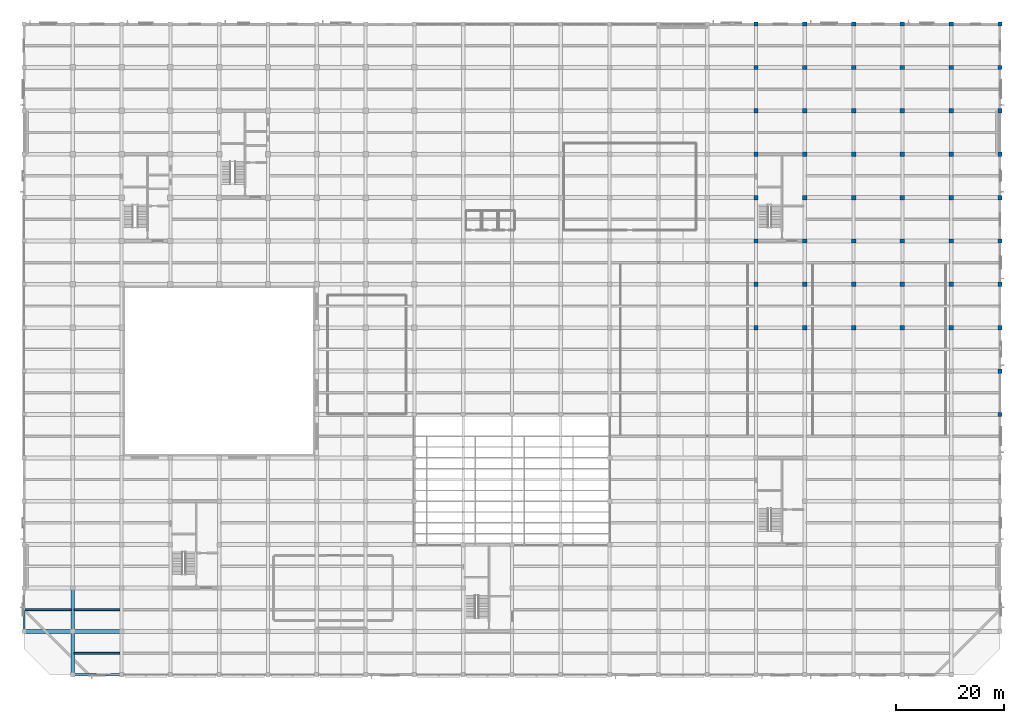
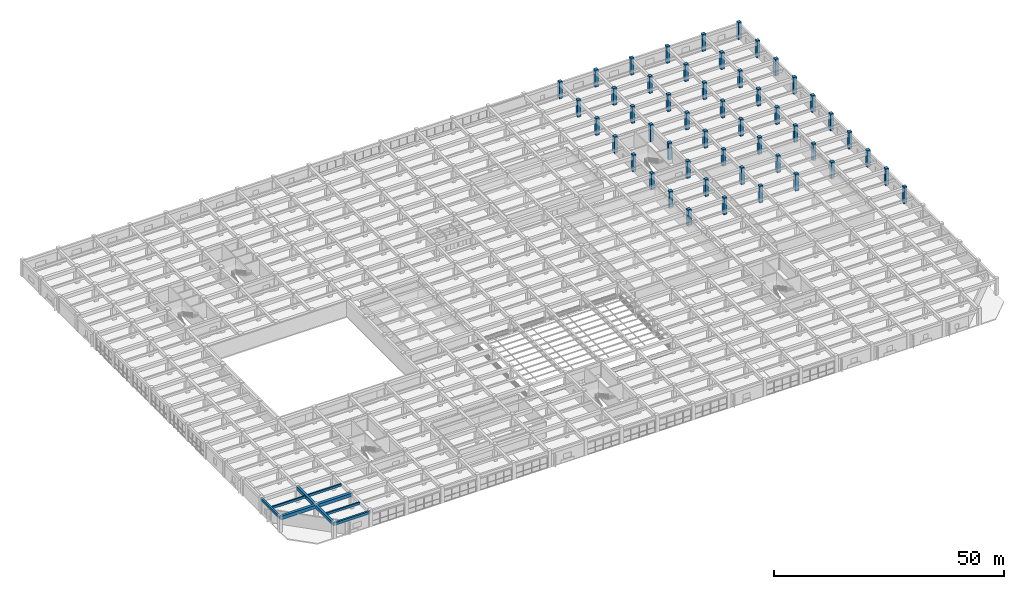
# One storey, part 2 of 50: 50 columns, 9 beams.
"""IFC4 building model written with IfcOpenShell, lengths in metres."""

from ifc_helpers import new_model, si_unit, direction, frame, origin, origin_2d, place, context, subcontext, project, spatial, rectangle, extrude, material, material_profile, profile_set, type_object, element, save


model = new_model("IFC4")

# Units and contexts
model_context = context("Model", 3, precision=1e-05, world=origin(), true_north=direction((0.0, 1.0)))
body_context = subcontext(model_context, "Body", "Model", "MODEL_VIEW")
ifc_project = project(units=[si_unit("LENGTHUNIT", "METRE"), si_unit("AREAUNIT", "SQUARE_METRE"), si_unit("VOLUMEUNIT", "CUBIC_METRE"), si_unit("PLANEANGLEUNIT", "RADIAN"), si_unit("MASSUNIT", "GRAM", prefix="KILO")], contexts=[model_context])

# Site, building, storey
site_placement = place(None, origin())
site = spatial("IfcSite", under=ifc_project, at=site_placement, CompositionType="ELEMENT")
building_placement = place(site_placement, origin())
building = spatial("IfcBuilding", under=site, at=building_placement, Name="Zaverband Oceanarium and Marine Research Institute", CompositionType="ELEMENT")
storey_placement = place(building_placement, frame((0.0, 0.0, 9.0)))
storey = spatial("IfcBuildingStorey", under=building, at=storey_placement, Name="L02", CompositionType="ELEMENT", Elevation=9.0)

# Columns
ifc_material_1 = material(Name="Concrete C50/60", Category="concrete")
ifc_material_profile_1 = material_profile(ifc_material_1, rectangle(XDim=0.800048828125, YDim=0.800048828125, at=origin_2d()), Name="RC800x800")
ifc_profile_set_1 = profile_set([ifc_material_profile_1], Name="Concrete C50/60")
column_type = type_object("IfcColumnType", Name="COL-C800", PredefinedType="COLUMN", material=ifc_profile_set_1)
for number, where, z_axis, x_axis, name in (
    (1, (135.0, 64.0, 0.0), (0.0, 0.0, 1.0), (1.0, 0.0, 0.0), "Reinforced concrete column RC800x800 COL-C800"),
    (2, (135.0, 72.0, 0.0), (0.0, 0.0, 1.0), (1.0, 0.0, 0.0), "Reinforced concrete column RC800x800 COL-C800"),
    (3, (135.0, 80.0, 0.0), (0.0, 0.0, 1.0), (1.0, 0.0, 0.0), "Reinforced concrete column RC800x800 COL-C800"),
    (4, (135.0, 88.0, 0.0), (0.0, 0.0, 1.0), (1.0, 0.0, 0.0), "Reinforced concrete column RC800x800 COL-C800"),
    (5, (135.0, 96.0, 0.0), (0.0, 0.0, 1.0), (1.0, 0.0, 0.0), "Reinforced concrete column RC800x800 COL-C800"),
    (6, (135.0, 104.0, 0.0), (0.0, 0.0, 1.0), (1.0, 0.0, 0.0), "Reinforced concrete column RC800x800 COL-C800"),
    (7, (135.0, 112.0, 0.0), (0.0, 0.0, 1.0), (1.0, 0.0, 0.0), "Reinforced concrete column RC800x800 COL-C800"),
    (8, (135.0, 120.0, 0.0), (0.0, 0.0, 1.0), (1.0, 0.0, 0.0), "Reinforced concrete column RC800x800 COL-C800"),
    (9, (144.0, 64.0, 0.0), (0.0, 0.0, 1.0), (1.0, 0.0, 0.0), "Reinforced concrete column RC800x800 COL-C800"),
    (10, (144.0, 72.0, 0.0), (0.0, 0.0, 1.0), (1.0, 0.0, 0.0), "Reinforced concrete column RC800x800 COL-C800"),
    (11, (144.0, 80.0, 0.0), (0.0, 0.0, 1.0), (1.0, 0.0, 0.0), "Reinforced concrete column RC800x800 COL-C800"),
    (12, (144.0, 88.0, 0.0), (0.0, 0.0, 1.0), (1.0, 0.0, 0.0), "Reinforced concrete column RC800x800 COL-C800"),
    (13, (144.0, 96.0, 0.0), (0.0, 0.0, 1.0), (1.0, 0.0, 0.0), "Reinforced concrete column RC800x800 COL-C800"),
    (14, (144.0, 104.0, 0.0), (0.0, 0.0, 1.0), (1.0, 0.0, 0.0), "Reinforced concrete column RC800x800 COL-C800"),
    (15, (144.0, 112.0, 0.0), (0.0, 0.0, 1.0), (1.0, 0.0, 0.0), "Reinforced concrete column RC800x800 COL-C800"),
    (16, (144.0, 120.0, 0.0), (0.0, 0.0, 1.0), (1.0, 0.0, 0.0), "Reinforced concrete column RC800x800 COL-C800"),
    (17, (153.0, 64.0, 0.0), (0.0, 0.0, 1.0), (1.0, 0.0, 0.0), "Reinforced concrete column RC800x800 COL-C800"),
    (18, (153.0, 72.0, 0.0), (0.0, 0.0, 1.0), (1.0, 0.0, 0.0), "Reinforced concrete column RC800x800 COL-C800"),
    (19, (153.0, 80.0, 0.0), (0.0, 0.0, 1.0), (1.0, 0.0, 0.0), "Reinforced concrete column RC800x800 COL-C800"),
    (20, (153.0, 88.0, 0.0), (0.0, 0.0, 1.0), (1.0, 0.0, 0.0), "Reinforced concrete column RC800x800 COL-C800"),
    (21, (153.0, 96.0, 0.0), (0.0, 0.0, 1.0), (1.0, 0.0, 0.0), "Reinforced concrete column RC800x800 COL-C800"),
    (22, (153.0, 104.0, 0.0), (0.0, 0.0, 1.0), (1.0, 0.0, 0.0), "Reinforced concrete column RC800x800 COL-C800"),
    (23, (153.0, 112.0, 0.0), (0.0, 0.0, 1.0), (1.0, 0.0, 0.0), "Reinforced concrete column RC800x800 COL-C800"),
    (24, (153.0, 120.0, 0.0), (0.0, 0.0, 1.0), (1.0, 0.0, 0.0), "Reinforced concrete column RC800x800 COL-C800"),
    (25, (162.0, 64.0, 0.0), (0.0, 0.0, 1.0), (1.0, 0.0, 0.0), "Reinforced concrete column RC800x800 COL-C800"),
    (26, (162.0, 72.0, 0.0), (0.0, 0.0, 1.0), (1.0, 0.0, 0.0), "Reinforced concrete column RC800x800 COL-C800"),
    (27, (162.0, 80.0, 0.0), (0.0, 0.0, 1.0), (1.0, 0.0, 0.0), "Reinforced concrete column RC800x800 COL-C800"),
    (28, (162.0, 88.0, 0.0), (0.0, 0.0, 1.0), (1.0, 0.0, 0.0), "Reinforced concrete column RC800x800 COL-C800"),
    (29, (162.0, 96.0, 0.0), (0.0, 0.0, 1.0), (1.0, 0.0, 0.0), "Reinforced concrete column RC800x800 COL-C800"),
    (30, (162.0, 104.0, 0.0), (0.0, 0.0, 1.0), (1.0, 0.0, 0.0), "Reinforced concrete column RC800x800 COL-C800"),
    (31, (162.0, 112.0, 0.0), (0.0, 0.0, 1.0), (1.0, 0.0, 0.0), "Reinforced concrete column RC800x800 COL-C800"),
    (32, (162.0, 120.0, 0.0), (0.0, 0.0, 1.0), (1.0, 0.0, 0.0), "Reinforced concrete column RC800x800 COL-C800"),
    (33, (171.0, 64.0, 0.0), (0.0, 0.0, 1.0), (1.0, 0.0, 0.0), "Reinforced concrete column RC800x800 COL-C800"),
    (34, (171.0, 72.0, 0.0), (0.0, 0.0, 1.0), (1.0, 0.0, 0.0), "Reinforced concrete column RC800x800 COL-C800"),
    (35, (171.0, 80.0, 0.0), (0.0, 0.0, 1.0), (1.0, 0.0, 0.0), "Reinforced concrete column RC800x800 COL-C800"),
    (36, (171.0, 88.0, 0.0), (0.0, 0.0, 1.0), (1.0, 0.0, 0.0), "Reinforced concrete column RC800x800 COL-C800"),
    (37, (171.0, 96.0, 0.0), (0.0, 0.0, 1.0), (1.0, 0.0, 0.0), "Reinforced concrete column RC800x800 COL-C800"),
    (38, (171.0, 104.0, 0.0), (0.0, 0.0, 1.0), (1.0, 0.0, 0.0), "Reinforced concrete column RC800x800 COL-C800"),
    (39, (171.0, 112.0, 0.0), (0.0, 0.0, 1.0), (1.0, 0.0, 0.0), "Reinforced concrete column RC800x800 COL-C800"),
    (40, (171.0, 120.0, 0.0), (0.0, 0.0, 1.0), (1.0, 0.0, 0.0), "Reinforced concrete column RC800x800 COL-C800"),
    (41, (180.0, 48.0, 0.0), (0.0, 0.0, 1.0), (1.0, 0.0, 0.0), "Reinforced concrete column RC800x800 COL-C800"),
    (42, (180.0, 56.0, 0.0), (0.0, 0.0, 1.0), (1.0, 0.0, 0.0), "Reinforced concrete column RC800x800 COL-C800"),
    (43, (180.0, 64.0, 0.0), (0.0, 0.0, 1.0), (1.0, 0.0, 0.0), "Reinforced concrete column RC800x800 COL-C800"),
    (44, (180.0, 72.0, 0.0), (0.0, 0.0, 1.0), (1.0, 0.0, 0.0), "Reinforced concrete column RC800x800 COL-C800"),
    (45, (180.0, 80.0, 0.0), (0.0, 0.0, 1.0), (1.0, 0.0, 0.0), "Reinforced concrete column RC800x800 COL-C800"),
    (46, (180.0, 88.0, 0.0), (0.0, 0.0, 1.0), (1.0, 0.0, 0.0), "Reinforced concrete column RC800x800 COL-C800"),
    (47, (180.0, 96.0, 0.0), (0.0, 0.0, 1.0), (1.0, 0.0, 0.0), "Reinforced concrete column RC800x800 COL-C800"),
    (48, (180.0, 104.0, 0.0), (0.0, 0.0, 1.0), (1.0, 0.0, 0.0), "Reinforced concrete column RC800x800 COL-C800"),
    (49, (180.0, 112.0, 0.0), (0.0, 0.0, 1.0), (1.0, 0.0, 0.0), "Reinforced concrete column RC800x800 COL-C800"),
    (50, (180.0, 120.0, 0.0), (0.0, 0.0, 1.0), (1.0, 0.0, 0.0), "Reinforced concrete column RC800x800 COL-C800"),
):
    element("IfcColumn", number, at=place(storey_placement, frame(where, z_axis=z_axis, x_axis=x_axis)), inside=storey, type_object=column_type, Name=name, PredefinedType="COLUMN", context=body_context, shape_type="SweptSolid", body=[
        extrude(rectangle(XDim=0.800048828125, YDim=0.800048828125, at=origin_2d()), origin(), (0.0, 0.0, 1.0), 4.5),
    ])

# Beams
ifc_material_2 = material(Name="Concrete C40/50", Category="concrete")
ifc_material_profile_2 = material_profile(ifc_material_2, rectangle(XDim=0.60009765625, YDim=0.85009765625, at=origin_2d()), Name="RC600x850")
ifc_profile_set_2 = profile_set([ifc_material_profile_2], Name="Concrete C40/50")
beam_type_1 = type_object("IfcBeamType", Name="BM-600x850", PredefinedType="BEAM", material=ifc_profile_set_2)
for number, where, z_axis, x_axis, name in (
    (51, (9.0, 0.0, 3.715087890625), (0.0, 1.0, 0.0), (-1.0, 0.0, 0.0), "Primary floor girder BM-600x850"),
    (52, (9.0, 8.0, 3.715087890625), (0.0, 1.0, 0.0), (-1.0, 0.0, 0.0), "Primary floor girder BM-600x850"),
):
    element("IfcBeam", number, at=place(storey_placement, frame(where, z_axis=z_axis, x_axis=x_axis)), inside=storey, type_object=beam_type_1, Name=name, PredefinedType="BEAM", context=body_context, shape_type="SweptSolid", body=[
        extrude(rectangle(XDim=0.60009765625, YDim=0.85009765625, at=origin_2d()), origin(), (0.0, 0.0, 1.0), 8.0),
    ])
ifc_material_profile_3 = material_profile(ifc_material_2, rectangle(XDim=0.699951171875, YDim=0.89990234375, at=origin_2d()), Name="RC700x900")
ifc_profile_set_3 = profile_set([ifc_material_profile_3], Name="Concrete C40/50")
beam_type_2 = type_object("IfcBeamType", Name="BM-700x900", PredefinedType="BEAM", material=ifc_profile_set_3)
for number, where, z_axis, x_axis, name in (
    (53, (0.0, 8.0, 3.68994140625), (1.0, 0.0, 0.0), (0.0, 1.0, 0.0), "Primary floor girder BM-700x900"),
    (54, (9.0, 8.0, 3.68994140625), (1.0, 0.0, 0.0), (0.0, 1.0, 0.0), "Primary floor girder BM-700x900"),
):
    element("IfcBeam", number, at=place(storey_placement, frame(where, z_axis=z_axis, x_axis=x_axis)), inside=storey, type_object=beam_type_2, Name=name, PredefinedType="BEAM", context=body_context, shape_type="SweptSolid", body=[
        extrude(rectangle(XDim=0.699951171875, YDim=0.89990234375, at=origin_2d()), origin(), (0.0, 0.0, 1.0), 9.0),
    ])
ifc_material_profile_4 = material_profile(ifc_material_2, rectangle(XDim=0.35009765625, YDim=0.60009765625, at=origin_2d()), Name="RC350x600")
ifc_profile_set_4 = profile_set([ifc_material_profile_4], Name="Concrete C40/50")
beam_type_3 = type_object("IfcBeamType", Name="JST-350x600", PredefinedType="JOIST", material=ifc_profile_set_4)
beam_1_placement = place(storey_placement, frame((0.22509765625, 12.0, 3.840087890625), z_axis=(1.0, 0.0, 0.0), x_axis=(0.0, 1.0, 0.0)))
element("IfcBeam", 55, at=beam_1_placement, inside=storey, type_object=beam_type_3, Name="Secondary floor joist JST-350x600", PredefinedType="JOIST", context=body_context, shape_type="SweptSolid", body=[
    extrude(rectangle(XDim=0.35009765625, YDim=0.60009765625, at=origin_2d()), origin(), (0.0, 0.0, 1.0), 8.474853515625),
])
for number, where, z_axis, x_axis, name in (
    (56, (9.300048828125, 4.0, 3.840087890625), (1.0, 0.0, 0.0), (0.0, 1.0, 0.0), "Secondary floor joist JST-350x600"),
    (57, (9.300048828125, 12.0, 3.840087890625), (1.0, 0.0, 0.0), (0.0, 1.0, 0.0), "Secondary floor joist JST-350x600"),
):
    element("IfcBeam", number, at=place(storey_placement, frame(where, z_axis=z_axis, x_axis=x_axis)), inside=storey, type_object=beam_type_3, Name=name, PredefinedType="JOIST", context=body_context, shape_type="SweptSolid", body=[
        extrude(rectangle(XDim=0.35009765625, YDim=0.60009765625, at=origin_2d()), origin(), (0.0, 0.0, 1.0), 8.39990234375),
    ])
ifc_material_profile_5 = material_profile(ifc_material_2, rectangle(XDim=0.449951171875, YDim=0.699951171875, at=origin_2d()), Name="RC450x700")
ifc_profile_set_5 = profile_set([ifc_material_profile_5], Name="Concrete C40/50")
beam_type_4 = type_object("IfcBeamType", Name="SPN-450x700", PredefinedType="SPANDREL", material=ifc_profile_set_5)
beam_2_placement = place(storey_placement, frame((9.0, 0.0, 3.7900390625), z_axis=(1.0, 0.0, 0.0), x_axis=(0.0, 1.0, 0.0)))
element("IfcBeam", 58, at=beam_2_placement, inside=storey, type_object=beam_type_4, Name="Perimeter spandrel beam SPN-450x700", PredefinedType="SPANDREL", context=body_context, shape_type="SweptSolid", body=[
    extrude(rectangle(XDim=0.449951171875, YDim=0.699951171875, at=origin_2d()), origin(), (0.0, 0.0, 1.0), 9.0),
])
beam_3_placement = place(storey_placement, frame((0.0, 8.0, 3.7900390625), z_axis=(0.0, 1.0, 0.0), x_axis=(-1.0, 0.0, 0.0)))
element("IfcBeam", 59, at=beam_3_placement, inside=storey, type_object=beam_type_4, Name="Perimeter spandrel beam SPN-450x700", PredefinedType="SPANDREL", context=body_context, shape_type="SweptSolid", body=[
    extrude(rectangle(XDim=0.449951171875, YDim=0.699951171875, at=origin_2d()), origin(), (0.0, 0.0, 1.0), 8.0),
])

save(model, "model.ifc")
